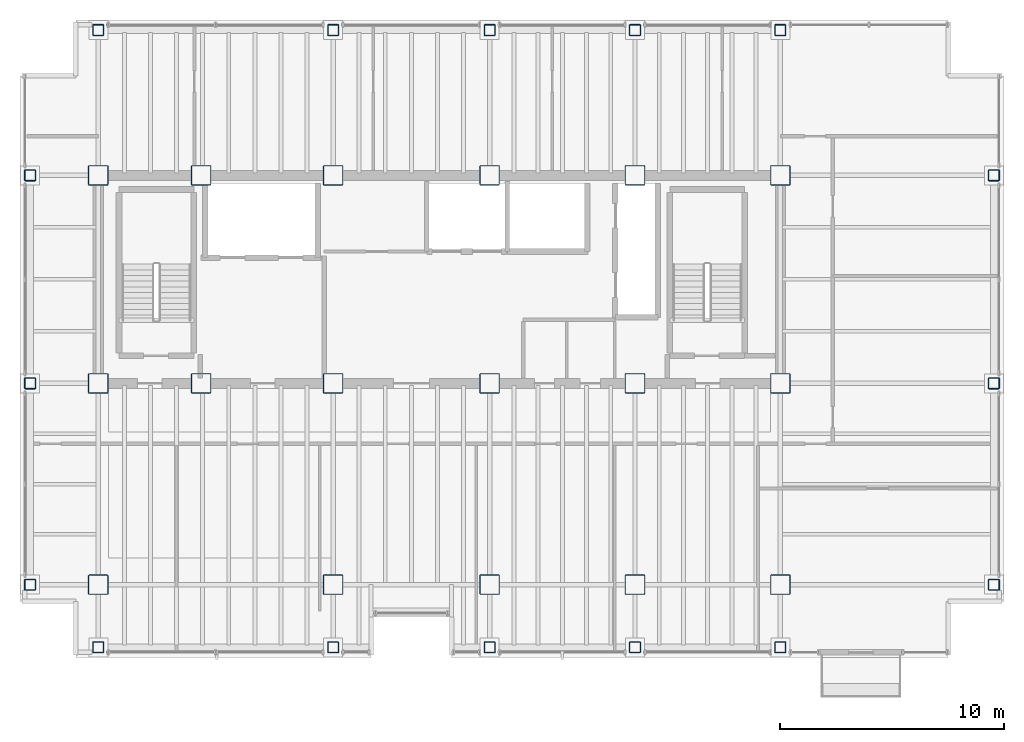
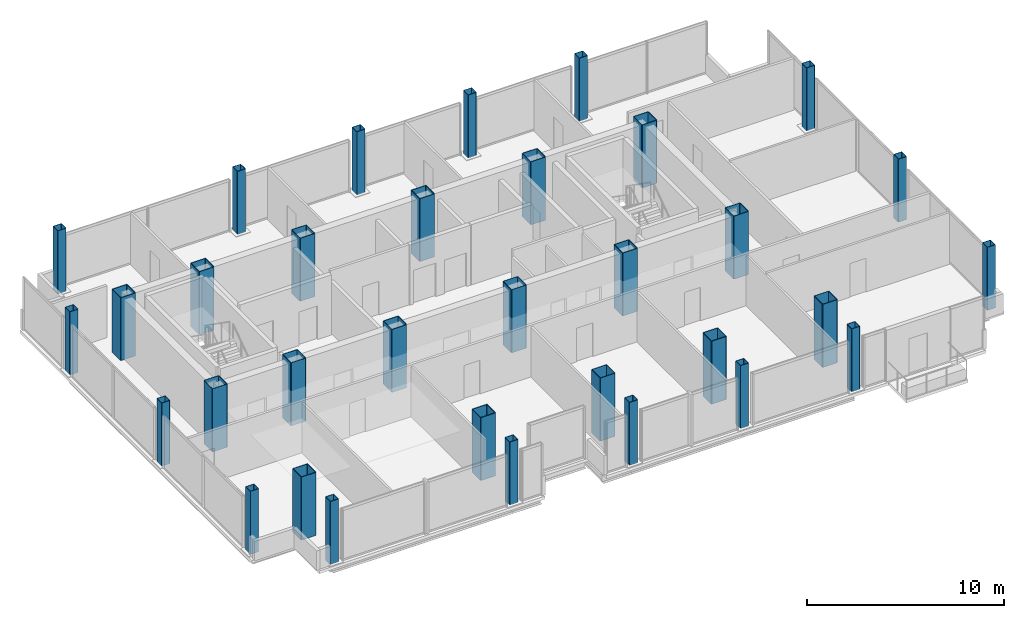
# One storey, part 1 of 16: 33 columns.
"""IFC4 building model written with IfcOpenShell, lengths in metres."""

from ifc_helpers import new_model, si_unit, direction, frame, origin, origin_2d, place, context, subcontext, project, spatial, hollow_rectangle, extrude, material, material_profile, profile_set, type_object, element, save


model = new_model("IFC4")

# Units and contexts
model_context = context("Model", 3, precision=1e-05, world=origin(), true_north=direction((0.0, 1.0)))
body_context = subcontext(model_context, "Body", "Model", "MODEL_VIEW")
ifc_project = project(units=[si_unit("LENGTHUNIT", "METRE"), si_unit("AREAUNIT", "SQUARE_METRE"), si_unit("VOLUMEUNIT", "CUBIC_METRE"), si_unit("PLANEANGLEUNIT", "RADIAN"), si_unit("MASSUNIT", "GRAM", prefix="KILO")], contexts=[model_context])

# Site, building, storey
site_placement = place(None, origin())
site = spatial("IfcSite", under=ifc_project, at=site_placement, CompositionType="ELEMENT")
building_placement = place(site_placement, origin())
building = spatial("IfcBuilding", under=site, at=building_placement, Name="Noeulbin Bourse Tower", CompositionType="ELEMENT")
storey_placement = place(building_placement, frame((0.0, 0.0, 181.199951171875)))
storey = spatial("IfcBuildingStorey", under=building, at=storey_placement, Name="L45", CompositionType="ELEMENT", Elevation=181.199951171875)

# Columns
ifc_material_1 = material(Name="Steel S355", Category="steel")
ifc_material_profile_1 = material_profile(ifc_material_1, hollow_rectangle(XDim=0.5, YDim=0.5, WallThickness=0.02392578125, InnerFilletRadius=0.011962890625, OuterFilletRadius=0.035888671875, at=origin_2d()), Name="BOX-500x500x24", Category="LoadBearing")
ifc_profile_set_1 = profile_set([ifc_material_profile_1], Name="Steel S355")
column_type_1 = type_object("IfcColumnType", Name="COL-PER-Z2", PredefinedType="COLUMN", material=ifc_profile_set_1)
for number, where, z_axis, x_axis, name in (
    (1, (10.449951171875, 20.0, 0.0), (0.0, 0.0, 1.0), (1.0, 0.0, 0.0), "Tower Perimeter Column COL-PER-Z2 01"),
    (2, (10.449951171875, 29.0, 0.0), (0.0, 0.0, 1.0), (1.0, 0.0, 0.0), "Tower Perimeter Column COL-PER-Z2 02"),
    (3, (10.449951171875, 38.300048828125, 0.0), (0.0, 0.0, 1.0), (1.0, 0.0, 0.0), "Tower Perimeter Column COL-PER-Z2 03"),
    (4, (13.5, 17.199951171875, 0.0), (0.0, 0.0, 1.0), (1.0, 0.0, 0.0), "Tower Perimeter Column COL-PER-Z2 04"),
    (5, (13.5, 44.800048828125, 0.0), (0.0, 0.0, 1.0), (1.0, 0.0, 0.0), "Tower Perimeter Column COL-PER-Z2 05"),
    (6, (24.0, 17.199951171875, 0.0), (0.0, 0.0, 1.0), (1.0, 0.0, 0.0), "Tower Perimeter Column COL-PER-Z2 06"),
    (7, (24.0, 44.800048828125, 0.0), (0.0, 0.0, 1.0), (1.0, 0.0, 0.0), "Tower Perimeter Column COL-PER-Z2 07"),
    (8, (31.0, 17.199951171875, 0.0), (0.0, 0.0, 1.0), (1.0, 0.0, 0.0), "Tower Perimeter Column COL-PER-Z2 08"),
    (9, (31.0, 44.800048828125, 0.0), (0.0, 0.0, 1.0), (1.0, 0.0, 0.0), "Tower Perimeter Column COL-PER-Z2 09"),
    (10, (37.5, 17.199951171875, 0.0), (0.0, 0.0, 1.0), (1.0, 0.0, 0.0), "Tower Perimeter Column COL-PER-Z2 10"),
    (11, (37.5, 44.800048828125, 0.0), (0.0, 0.0, 1.0), (1.0, 0.0, 0.0), "Tower Perimeter Column COL-PER-Z2 11"),
    (12, (44.0, 17.199951171875, 0.0), (0.0, 0.0, 1.0), (1.0, 0.0, 0.0), "Tower Perimeter Column COL-PER-Z2 12"),
    (13, (44.0, 44.800048828125, 0.0), (0.0, 0.0, 1.0), (1.0, 0.0, 0.0), "Tower Perimeter Column COL-PER-Z2 13"),
    (14, (53.550048828125, 20.0, 0.0), (0.0, 0.0, 1.0), (1.0, 0.0, 0.0), "Tower Perimeter Column COL-PER-Z2 14"),
    (15, (53.550048828125, 29.0, 0.0), (0.0, 0.0, 1.0), (1.0, 0.0, 0.0), "Tower Perimeter Column COL-PER-Z2 15"),
    (16, (53.550048828125, 38.300048828125, 0.0), (0.0, 0.0, 1.0), (1.0, 0.0, 0.0), "Tower Perimeter Column COL-PER-Z2 16"),
):
    element("IfcColumn", number, at=place(storey_placement, frame(where, z_axis=z_axis, x_axis=x_axis)), inside=storey, type_object=column_type_1, Name=name, PredefinedType="COLUMN", context=body_context, shape_type="SweptSolid", body=[
        extrude(hollow_rectangle(XDim=0.5, YDim=0.5, WallThickness=0.02392578125, InnerFilletRadius=0.011962890625, OuterFilletRadius=0.035888671875, at=origin_2d()), origin(), (0.0, 0.0, 1.0), 3.900146484375),
    ])
ifc_material_2 = material(Name="Steel S460", Category="steel")
ifc_material_profile_2 = material_profile(ifc_material_2, hollow_rectangle(XDim=0.89990234375, YDim=0.89990234375, WallThickness=0.034912109375, InnerFilletRadius=0.01708984375, OuterFilletRadius=0.052001953125, at=origin_2d()), Name="BOX-900x900x35", Category="LoadBearing")
ifc_profile_set_2 = profile_set([ifc_material_profile_2], Name="Steel S460")
column_type_2 = type_object("IfcColumnType", Name="COL-TRK-Z2", PredefinedType="COLUMN", material=ifc_profile_set_2)
for number, where, z_axis, x_axis, name in (
    (17, (13.5, 29.0, 0.0), (0.0, 0.0, 1.0), (1.0, 0.0, 0.0), "Tower Trunk Mega-Column COL-TRK-Z2 01"),
    (18, (13.5, 38.300048828125, 0.0), (0.0, 0.0, 1.0), (1.0, 0.0, 0.0), "Tower Trunk Mega-Column COL-TRK-Z2 02"),
    (19, (18.10009765625, 29.0, 0.0), (0.0, 0.0, 1.0), (1.0, 0.0, 0.0), "Tower Trunk Mega-Column COL-TRK-Z2 03"),
    (20, (18.10009765625, 38.300048828125, 0.0), (0.0, 0.0, 1.0), (1.0, 0.0, 0.0), "Tower Trunk Mega-Column COL-TRK-Z2 04"),
    (21, (24.0, 29.0, 0.0), (0.0, 0.0, 1.0), (1.0, 0.0, 0.0), "Tower Trunk Mega-Column COL-TRK-Z2 05"),
    (22, (24.0, 38.300048828125, 0.0), (0.0, 0.0, 1.0), (1.0, 0.0, 0.0), "Tower Trunk Mega-Column COL-TRK-Z2 06"),
    (23, (31.0, 29.0, 0.0), (0.0, 0.0, 1.0), (1.0, 0.0, 0.0), "Tower Trunk Mega-Column COL-TRK-Z2 07"),
    (24, (31.0, 38.300048828125, 0.0), (0.0, 0.0, 1.0), (1.0, 0.0, 0.0), "Tower Trunk Mega-Column COL-TRK-Z2 08"),
    (25, (37.5, 29.0, 0.0), (0.0, 0.0, 1.0), (1.0, 0.0, 0.0), "Tower Trunk Mega-Column COL-TRK-Z2 09"),
    (26, (37.5, 38.300048828125, 0.0), (0.0, 0.0, 1.0), (1.0, 0.0, 0.0), "Tower Trunk Mega-Column COL-TRK-Z2 10"),
    (27, (44.0, 29.0, 0.0), (0.0, 0.0, 1.0), (1.0, 0.0, 0.0), "Tower Trunk Mega-Column COL-TRK-Z2 11"),
    (28, (44.0, 38.300048828125, 0.0), (0.0, 0.0, 1.0), (1.0, 0.0, 0.0), "Tower Trunk Mega-Column COL-TRK-Z2 12"),
    (29, (13.5, 20.0, 0.0), (0.0, 0.0, 1.0), (1.0, 0.0, 0.0), "Tower Trunk Mega-Column COL-TRK-Z2 13"),
    (30, (24.0, 20.0, 0.0), (0.0, 0.0, 1.0), (1.0, 0.0, 0.0), "Tower Trunk Mega-Column COL-TRK-Z2 14"),
    (31, (31.0, 20.0, 0.0), (0.0, 0.0, 1.0), (1.0, 0.0, 0.0), "Tower Trunk Mega-Column COL-TRK-Z2 15"),
    (32, (37.5, 20.0, 0.0), (0.0, 0.0, 1.0), (1.0, 0.0, 0.0), "Tower Trunk Mega-Column COL-TRK-Z2 16"),
    (33, (44.0, 20.0, 0.0), (0.0, 0.0, 1.0), (1.0, 0.0, 0.0), "Tower Trunk Mega-Column COL-TRK-Z2 17"),
):
    element("IfcColumn", number, at=place(storey_placement, frame(where, z_axis=z_axis, x_axis=x_axis)), inside=storey, type_object=column_type_2, Name=name, PredefinedType="COLUMN", context=body_context, shape_type="SweptSolid", body=[
        extrude(hollow_rectangle(XDim=0.89990234375, YDim=0.89990234375, WallThickness=0.034912109375, InnerFilletRadius=0.01708984375, OuterFilletRadius=0.052001953125, at=origin_2d()), origin(), (0.0, 0.0, 1.0), 3.900146484375),
    ])

save(model, "model.ifc")
